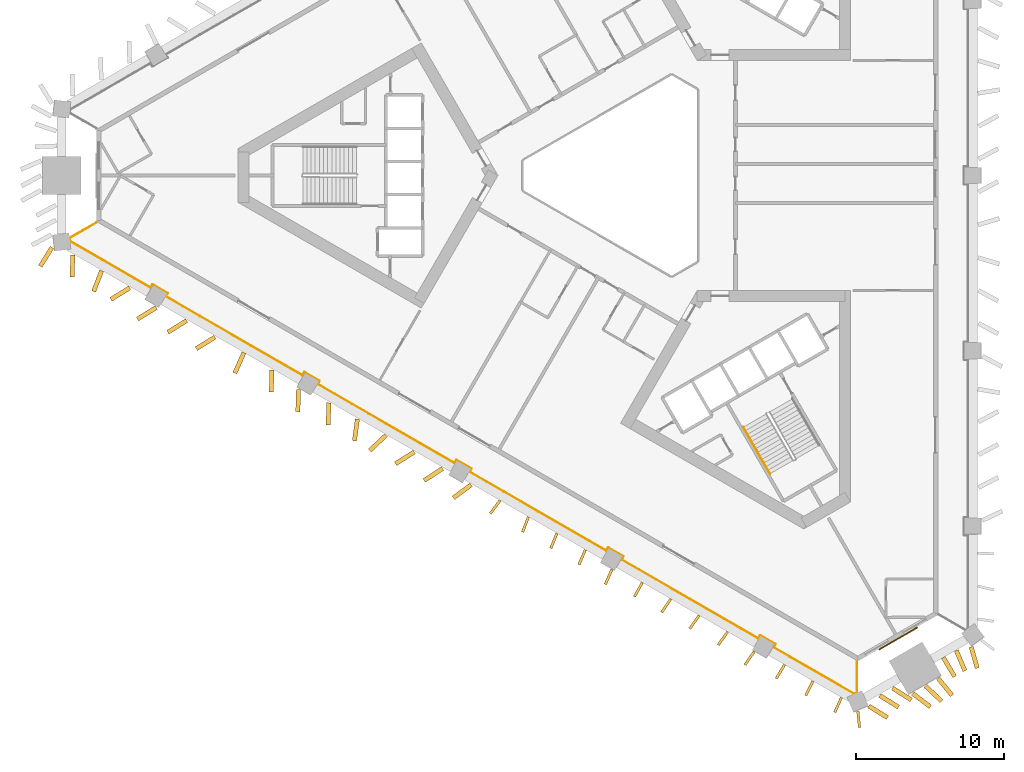
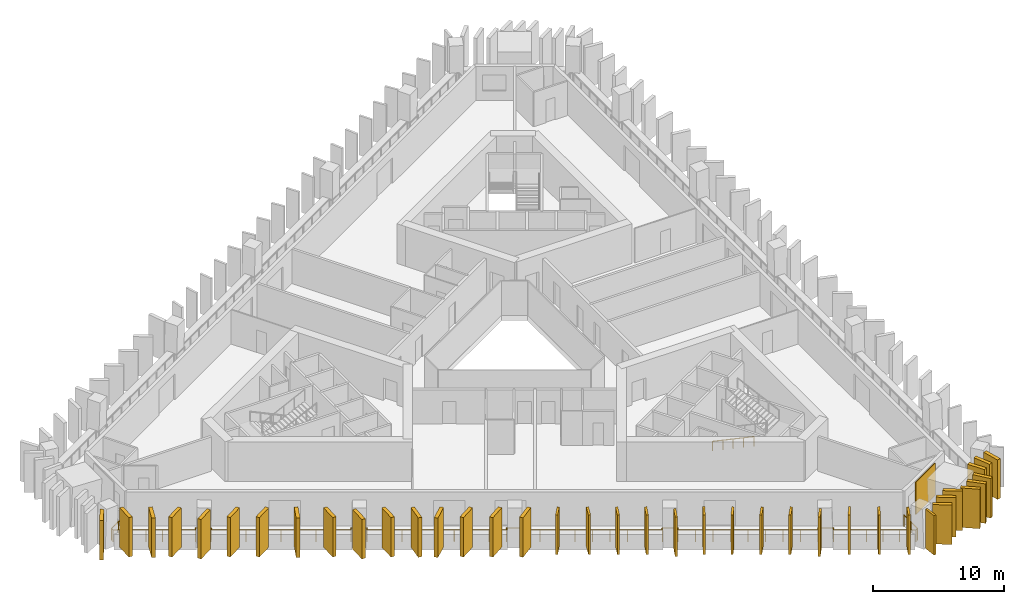
# One storey, part 7 of 10: 39 shading devices, 2 railings, 1 covering.
"""IFC4 building model written with IfcOpenShell, lengths in metres."""

from ifc_helpers import new_model, si_unit, direction, frame, frame_2d, origin, origin_2d, place, context, subcontext, project, spatial, rectangle, circle, extrude, material, layer, layer_set, type_object, element, save


model = new_model("IFC4")

# Units and contexts
model_context = context("Model", 3, precision=1e-05, world=origin(), true_north=direction((0.0, 1.0)))
body_context = subcontext(model_context, "Body", "Model", "MODEL_VIEW")
ifc_project = project(units=[si_unit("LENGTHUNIT", "METRE"), si_unit("AREAUNIT", "SQUARE_METRE"), si_unit("VOLUMEUNIT", "CUBIC_METRE"), si_unit("PLANEANGLEUNIT", "RADIAN"), si_unit("MASSUNIT", "GRAM", prefix="KILO")], contexts=[model_context])

# Site, building, storey
site_placement = place(None, origin())
site = spatial("IfcSite", under=ifc_project, at=site_placement, CompositionType="ELEMENT")
building_placement = place(site_placement, origin())
building = spatial("IfcBuilding", under=site, at=building_placement, Name="Jabali Bay Hotel Tower and Convention Centre", CompositionType="ELEMENT")
storey_placement = place(building_placement, frame((0.0, 0.0, 72.10009765625)))
storey = spatial("IfcBuildingStorey", under=building, at=storey_placement, Name="L16", CompositionType="ELEMENT", Elevation=72.10009765625)

# Railing
ifc_material_1 = material(Name="Glass", Category="glass")
railing_type_1 = type_object("IfcRailingType", Name="Loggia glass guard 1100", PredefinedType="BALUSTRADE", material=ifc_material_1)
railing_1_placement = place(storey_placement, frame((90.337646484375, 47.069091796875, 0.0)))
element("IfcRailing", 1, at=railing_1_placement, inside=storey, type_object=railing_type_1, Name="Loggia glass guard L16", PredefinedType="BALUSTRADE", context=body_context, shape_type="SweptSolid", body=[
    extrude(circle(Radius=0.02490234375, at=origin_2d()), frame((0.0, 0.0, 1.0751953125), z_axis=(0.0, -1.0, 0.0), x_axis=(0.991444861374, 0.0, 0.13052619222)), (0.0, 0.0, 1.0), 2.1103515625),
    extrude(circle(Radius=0.02490234375, at=origin_2d()), frame((0.0, -2.1103515625, 1.0751953125), z_axis=(-0.917845837018, -0.396937047236, 0.0), x_axis=(0.393541195771, -0.909993538645, 0.13052619222)), (0.0, 0.0, 1.0), 0.214599609375),
    extrude(circle(Radius=0.02490234375, at=origin_2d()), frame((-0.197021484375, -2.195556640625, 1.0751953125), z_axis=(-0.866021496703, 0.500006767202, 0.0), x_axis=(-0.495729139994, -0.858612562746, 0.13052619222)), (0.0, 0.0, 1.0), 6.29345703125),
    extrude(circle(Radius=0.02490234375, at=origin_2d()), frame((-5.647216796875, 0.951171875, 1.0751953125), z_axis=(0.499919672301, 0.866071776036, 0.0), x_axis=(-0.858662411932, 0.495642790202, 0.13052619222)), (0.0, 0.0, 1.0), 0.25),
    extrude(circle(Radius=0.02490234375, at=origin_2d()), frame((-5.522216796875, 1.167724609375, 1.0751953125), z_axis=(-0.866043267704, 0.499969057507, 0.0), x_axis=(-0.495691752911, -0.858634147493, 0.13052619222)), (0.0, 0.0, 1.0), 1.19970703125),
    extrude(circle(Radius=0.02490234375, at=origin_2d()), frame((-6.561279296875, 1.767578125, 1.0751953125), z_axis=(-0.499919672301, -0.866071776036, 0.0), x_axis=(0.858662411932, -0.495642790202, 0.13052619222)), (0.0, 0.0, 1.0), 0.25),
    extrude(circle(Radius=0.02490234375, at=origin_2d()), frame((-6.686279296875, 1.551025390625, 1.0751953125), z_axis=(-0.866019783401, 0.500009734663, 0.0), x_axis=(-0.495732082068, -0.858610864101, 0.13052619222)), (0.0, 0.0, 1.0), 10.691162109375),
    extrude(circle(Radius=0.02490234375, at=origin_2d()), frame((-15.945068359375, 6.896728515625, 1.0751953125), z_axis=(0.500342721131, 0.865827443207, 0.0), x_axis=(-0.858420169404, 0.496062219791, 0.13052619222)), (0.0, 0.0, 1.0), 0.249755859375),
    extrude(circle(Radius=0.02490234375, at=origin_2d()), frame((-15.820068359375, 7.113037109375, 1.0751953125), z_axis=(-0.866006032174, 0.500033551112, 0.0), x_axis=(-0.495755694765, -0.858597230518, 0.13052619222)), (0.0, 0.0, 1.0), 1.2001953125),
    extrude(circle(Radius=0.02490234375, at=origin_2d()), frame((-16.859375, 7.713134765625, 1.0751953125), z_axis=(-0.499919672301, -0.866071776036, 0.0), x_axis=(0.858662411932, -0.495642790202, 0.13052619222)), (0.0, 0.0, 1.0), 0.25),
    extrude(circle(Radius=0.02490234375, at=origin_2d()), frame((-16.984375, 7.49658203125, 1.0751953125), z_axis=(-0.866019783401, 0.500009734663, 0.0), x_axis=(-0.495732082068, -0.858610864101, 0.13052619222)), (0.0, 0.0, 1.0), 10.691162109375),
    extrude(circle(Radius=0.02490234375, at=origin_2d()), frame((-26.2431640625, 12.84228515625, 1.0751953125), z_axis=(0.500342721131, 0.865827443207, 0.0), x_axis=(-0.858420169404, 0.496062219791, 0.13052619222)), (0.0, 0.0, 1.0), 0.249755859375),
    extrude(circle(Radius=0.02490234375, at=origin_2d()), frame((-26.1181640625, 13.05859375, 1.0751953125), z_axis=(-0.865955154139, 0.50012165622, 0.0), x_axis=(-0.495843046121, -0.858546787751, 0.13052619222)), (0.0, 0.0, 1.0), 1.199951171875),
    extrude(circle(Radius=0.02490234375, at=origin_2d()), frame((-27.1572265625, 13.65869140625, 1.0751953125), z_axis=(-0.499919672301, -0.866071776036, 0.0), x_axis=(0.858662411932, -0.495642790202, 0.13052619222)), (0.0, 0.0, 1.0), 0.25),
    extrude(circle(Radius=0.02490234375, at=origin_2d()), frame((-27.2822265625, 13.442138671875, 1.0751953125), z_axis=(-0.866019783401, 0.500009734663, 0.0), x_axis=(-0.495732082068, -0.858610864101, 0.13052619222)), (0.0, 0.0, 1.0), 10.691162109375),
    extrude(circle(Radius=0.02490234375, at=origin_2d()), frame((-36.541015625, 18.787841796875, 1.0751953125), z_axis=(0.500342721131, 0.865827443207, 0.0), x_axis=(-0.858420169404, 0.496062219791, 0.13052619222)), (0.0, 0.0, 1.0), 0.249755859375),
    extrude(circle(Radius=0.02490234375, at=origin_2d()), frame((-36.416015625, 19.004150390625, 1.0751953125), z_axis=(-0.866006032174, 0.500033551112, 0.0), x_axis=(-0.495755694765, -0.858597230518, 0.13052619222)), (0.0, 0.0, 1.0), 1.2001953125),
    extrude(circle(Radius=0.02490234375, at=origin_2d()), frame((-37.455322265625, 19.604248046875, 1.0751953125), z_axis=(-0.499919672301, -0.866071776036, 0.0), x_axis=(0.858662411932, -0.495642790202, 0.13052619222)), (0.0, 0.0, 1.0), 0.25),
    extrude(circle(Radius=0.02490234375, at=origin_2d()), frame((-37.580322265625, 19.3876953125, 1.0751953125), z_axis=(-0.866029671606, 0.499992607843, 0.0), x_axis=(-0.49571510177, -0.858620667711, 0.13052619222)), (0.0, 0.0, 1.0), 10.691162109375),
    extrude(circle(Radius=0.02490234375, at=origin_2d()), frame((-46.839111328125, 24.733154296875, 1.0751953125), z_axis=(0.499919672301, 0.866071776036, 0.0), x_axis=(-0.858662411932, 0.495642790202, 0.13052619222)), (0.0, 0.0, 1.0), 0.25),
    extrude(circle(Radius=0.02490234375, at=origin_2d()), frame((-46.714111328125, 24.94970703125, 1.0751953125), z_axis=(-0.865955154139, 0.50012165622, 0.0), x_axis=(-0.495843046121, -0.858546787751, 0.13052619222)), (0.0, 0.0, 1.0), 1.199951171875),
    extrude(circle(Radius=0.02490234375, at=origin_2d()), frame((-47.753173828125, 25.5498046875, 1.0751953125), z_axis=(-0.499919672301, -0.866071776036, 0.0), x_axis=(0.858662411932, -0.495642790202, 0.13052619222)), (0.0, 0.0, 1.0), 0.25),
    extrude(circle(Radius=0.02490234375, at=origin_2d()), frame((-47.878173828125, 25.333251953125, 1.0751953125), z_axis=(-0.866021496703, 0.500006767202, 0.0), x_axis=(-0.495729139994, -0.858612562746, 0.13052619222)), (0.0, 0.0, 1.0), 6.29345703125),
    extrude(circle(Radius=0.02490234375, at=origin_2d()), frame((-53.328369140625, 28.47998046875, 1.0751953125), z_axis=(-0.116049066602, 0.993243481801, 0.0), x_axis=(-0.984746146125, -0.11505625075, 0.13052619222)), (0.0, 0.0, 1.0), 0.214599609375),
    extrude(circle(Radius=0.02490234375, at=origin_2d()), frame((-53.353271484375, 28.693115234375, 1.0751953125), z_axis=(0.86605653045, 0.499946083158, 0.0), x_axis=(-0.495668975111, 0.858647296774, 0.13052619222)), (0.0, 0.0, 1.0), 2.110595703125),
    extrude(circle(Radius=0.02001953125, at=origin_2d()), origin(), (0.0, 0.0, 1.0), 1.050048828125),
    extrude(circle(Radius=0.02001953125, at=origin_2d()), frame((0.0, -1.05517578125, 0.0)), (0.0, 0.0, 1.0), 1.050048828125),
    extrude(circle(Radius=0.02001953125, at=origin_2d()), frame((0.0, -2.1103515625, 0.0)), (0.0, 0.0, 1.0), 1.050048828125),
    extrude(circle(Radius=0.02001953125, at=origin_2d()), frame((-0.197021484375, -2.195556640625, 0.0)), (0.0, 0.0, 1.0), 1.050048828125),
    extrude(circle(Radius=0.02001953125, at=origin_2d()), frame((-1.287109375, -1.566162109375, 0.0)), (0.0, 0.0, 1.0), 1.050048828125),
    extrude(circle(Radius=0.02001953125, at=origin_2d()), frame((-2.377197265625, -0.936767578125, 0.0)), (0.0, 0.0, 1.0), 1.050048828125),
    extrude(circle(Radius=0.02001953125, at=origin_2d()), frame((-3.467041015625, -0.3076171875, 0.0)), (0.0, 0.0, 1.0), 1.050048828125),
    extrude(circle(Radius=0.02001953125, at=origin_2d()), frame((-4.55712890625, 0.32177734375, 0.0)), (0.0, 0.0, 1.0), 1.050048828125),
    extrude(circle(Radius=0.02001953125, at=origin_2d()), frame((-5.647216796875, 0.951171875, 0.0)), (0.0, 0.0, 1.0), 1.050048828125),
    extrude(circle(Radius=0.02001953125, at=origin_2d()), frame((-5.522216796875, 1.167724609375, 0.0)), (0.0, 0.0, 1.0), 1.050048828125),
    extrude(circle(Radius=0.02001953125, at=origin_2d()), frame((-6.561279296875, 1.767578125, 0.0)), (0.0, 0.0, 1.0), 1.050048828125),
    extrude(circle(Radius=0.02001953125, at=origin_2d()), frame((-6.686279296875, 1.551025390625, 0.0)), (0.0, 0.0, 1.0), 1.050048828125),
    extrude(circle(Radius=0.02001953125, at=origin_2d()), frame((-7.84375, 2.21923828125, 0.0)), (0.0, 0.0, 1.0), 1.050048828125),
    extrude(circle(Radius=0.02001953125, at=origin_2d()), frame((-9.0009765625, 2.887451171875, 0.0)), (0.0, 0.0, 1.0), 1.050048828125),
    extrude(circle(Radius=0.02001953125, at=origin_2d()), frame((-10.158203125, 3.5556640625, 0.0)), (0.0, 0.0, 1.0), 1.050048828125),
    extrude(circle(Radius=0.02001953125, at=origin_2d()), frame((-11.315673828125, 4.223876953125, 0.0)), (0.0, 0.0, 1.0), 1.050048828125),
    extrude(circle(Radius=0.02001953125, at=origin_2d()), frame((-12.47314453125, 4.89208984375, 0.0)), (0.0, 0.0, 1.0), 1.050048828125),
    extrude(circle(Radius=0.02001953125, at=origin_2d()), frame((-13.63037109375, 5.560302734375, 0.0)), (0.0, 0.0, 1.0), 1.050048828125),
    extrude(circle(Radius=0.02001953125, at=origin_2d()), frame((-14.78759765625, 6.228515625, 0.0)), (0.0, 0.0, 1.0), 1.050048828125),
    extrude(circle(Radius=0.02001953125, at=origin_2d()), frame((-15.945068359375, 6.896728515625, 0.0)), (0.0, 0.0, 1.0), 1.050048828125),
    extrude(circle(Radius=0.02001953125, at=origin_2d()), frame((-15.820068359375, 7.113037109375, 0.0)), (0.0, 0.0, 1.0), 1.050048828125),
    extrude(circle(Radius=0.02001953125, at=origin_2d()), frame((-16.859375, 7.713134765625, 0.0)), (0.0, 0.0, 1.0), 1.050048828125),
    extrude(circle(Radius=0.02001953125, at=origin_2d()), frame((-16.984375, 7.49658203125, 0.0)), (0.0, 0.0, 1.0), 1.050048828125),
    extrude(circle(Radius=0.02001953125, at=origin_2d()), frame((-18.1416015625, 8.164794921875, 0.0)), (0.0, 0.0, 1.0), 1.050048828125),
    extrude(circle(Radius=0.02001953125, at=origin_2d()), frame((-19.299072265625, 8.8330078125, 0.0)), (0.0, 0.0, 1.0), 1.050048828125),
    extrude(circle(Radius=0.02001953125, at=origin_2d()), frame((-20.45654296875, 9.501220703125, 0.0)), (0.0, 0.0, 1.0), 1.050048828125),
    extrude(circle(Radius=0.02001953125, at=origin_2d()), frame((-21.61376953125, 10.16943359375, 0.0)), (0.0, 0.0, 1.0), 1.050048828125),
    extrude(circle(Radius=0.02001953125, at=origin_2d()), frame((-22.77099609375, 10.837646484375, 0.0)), (0.0, 0.0, 1.0), 1.050048828125),
    extrude(circle(Radius=0.02001953125, at=origin_2d()), frame((-23.928466796875, 11.505859375, 0.0)), (0.0, 0.0, 1.0), 1.050048828125),
    extrude(circle(Radius=0.02001953125, at=origin_2d()), frame((-25.0859375, 12.174072265625, 0.0)), (0.0, 0.0, 1.0), 1.050048828125),
    extrude(circle(Radius=0.02001953125, at=origin_2d()), frame((-26.2431640625, 12.84228515625, 0.0)), (0.0, 0.0, 1.0), 1.050048828125),
    extrude(circle(Radius=0.02001953125, at=origin_2d()), frame((-26.1181640625, 13.05859375, 0.0)), (0.0, 0.0, 1.0), 1.050048828125),
    extrude(circle(Radius=0.02001953125, at=origin_2d()), frame((-27.1572265625, 13.65869140625, 0.0)), (0.0, 0.0, 1.0), 1.050048828125),
    extrude(circle(Radius=0.02001953125, at=origin_2d()), frame((-27.2822265625, 13.442138671875, 0.0)), (0.0, 0.0, 1.0), 1.050048828125),
    extrude(circle(Radius=0.02001953125, at=origin_2d()), frame((-28.439453125, 14.1103515625, 0.0)), (0.0, 0.0, 1.0), 1.050048828125),
    extrude(circle(Radius=0.02001953125, at=origin_2d()), frame((-29.596923828125, 14.778564453125, 0.0)), (0.0, 0.0, 1.0), 1.050048828125),
    extrude(circle(Radius=0.02001953125, at=origin_2d()), frame((-30.75439453125, 15.44677734375, 0.0)), (0.0, 0.0, 1.0), 1.050048828125),
    extrude(circle(Radius=0.02001953125, at=origin_2d()), frame((-31.91162109375, 16.114990234375, 0.0)), (0.0, 0.0, 1.0), 1.050048828125),
    extrude(circle(Radius=0.02001953125, at=origin_2d()), frame((-33.06884765625, 16.783203125, 0.0)), (0.0, 0.0, 1.0), 1.050048828125),
    extrude(circle(Radius=0.02001953125, at=origin_2d()), frame((-34.226318359375, 17.451416015625, 0.0)), (0.0, 0.0, 1.0), 1.050048828125),
    extrude(circle(Radius=0.02001953125, at=origin_2d()), frame((-35.3837890625, 18.11962890625, 0.0)), (0.0, 0.0, 1.0), 1.050048828125),
    extrude(circle(Radius=0.02001953125, at=origin_2d()), frame((-36.541015625, 18.787841796875, 0.0)), (0.0, 0.0, 1.0), 1.050048828125),
    extrude(circle(Radius=0.02001953125, at=origin_2d()), frame((-36.416015625, 19.004150390625, 0.0)), (0.0, 0.0, 1.0), 1.050048828125),
    extrude(circle(Radius=0.02001953125, at=origin_2d()), frame((-37.455322265625, 19.604248046875, 0.0)), (0.0, 0.0, 1.0), 1.050048828125),
    extrude(circle(Radius=0.02001953125, at=origin_2d()), frame((-37.580322265625, 19.3876953125, 0.0)), (0.0, 0.0, 1.0), 1.050048828125),
    extrude(circle(Radius=0.02001953125, at=origin_2d()), frame((-38.73779296875, 20.055908203125, 0.0)), (0.0, 0.0, 1.0), 1.050048828125),
    extrude(circle(Radius=0.02001953125, at=origin_2d()), frame((-39.89501953125, 20.72412109375, 0.0)), (0.0, 0.0, 1.0), 1.050048828125),
    extrude(circle(Radius=0.02001953125, at=origin_2d()), frame((-41.05224609375, 21.392333984375, 0.0)), (0.0, 0.0, 1.0), 1.050048828125),
    extrude(circle(Radius=0.02001953125, at=origin_2d()), frame((-42.209716796875, 22.060546875, 0.0)), (0.0, 0.0, 1.0), 1.050048828125),
    extrude(circle(Radius=0.02001953125, at=origin_2d()), frame((-43.3671875, 22.728515625, 0.0)), (0.0, 0.0, 1.0), 1.050048828125),
    extrude(circle(Radius=0.02001953125, at=origin_2d()), frame((-44.5244140625, 23.396728515625, 0.0)), (0.0, 0.0, 1.0), 1.050048828125),
    extrude(circle(Radius=0.02001953125, at=origin_2d()), frame((-45.681640625, 24.06494140625, 0.0)), (0.0, 0.0, 1.0), 1.050048828125),
    extrude(circle(Radius=0.02001953125, at=origin_2d()), frame((-46.839111328125, 24.733154296875, 0.0)), (0.0, 0.0, 1.0), 1.050048828125),
    extrude(circle(Radius=0.02001953125, at=origin_2d()), frame((-46.714111328125, 24.94970703125, 0.0)), (0.0, 0.0, 1.0), 1.050048828125),
    extrude(circle(Radius=0.02001953125, at=origin_2d()), frame((-47.753173828125, 25.5498046875, 0.0)), (0.0, 0.0, 1.0), 1.050048828125),
    extrude(circle(Radius=0.02001953125, at=origin_2d()), frame((-47.878173828125, 25.333251953125, 0.0)), (0.0, 0.0, 1.0), 1.050048828125),
    extrude(circle(Radius=0.02001953125, at=origin_2d()), frame((-48.96826171875, 25.962646484375, 0.0)), (0.0, 0.0, 1.0), 1.050048828125),
    extrude(circle(Radius=0.02001953125, at=origin_2d()), frame((-50.058349609375, 26.592041015625, 0.0)), (0.0, 0.0, 1.0), 1.050048828125),
    extrude(circle(Radius=0.02001953125, at=origin_2d()), frame((-51.148193359375, 27.22119140625, 0.0)), (0.0, 0.0, 1.0), 1.050048828125),
    extrude(circle(Radius=0.02001953125, at=origin_2d()), frame((-52.23828125, 27.8505859375, 0.0)), (0.0, 0.0, 1.0), 1.050048828125),
    extrude(circle(Radius=0.02001953125, at=origin_2d()), frame((-53.328369140625, 28.47998046875, 0.0)), (0.0, 0.0, 1.0), 1.050048828125),
    extrude(circle(Radius=0.02001953125, at=origin_2d()), frame((-53.353271484375, 28.693115234375, 0.0)), (0.0, 0.0, 1.0), 1.050048828125),
    extrude(circle(Radius=0.02001953125, at=origin_2d()), frame((-52.439453125, 29.220703125, 0.0)), (0.0, 0.0, 1.0), 1.050048828125),
    extrude(circle(Radius=0.02001953125, at=origin_2d()), frame((-51.525390625, 29.748291015625, 0.0)), (0.0, 0.0, 1.0), 1.050048828125),
])

# Shading devices
ifc_material_2 = material(Name="Precast concrete C60", Category="concrete")
ifc_layer_1 = layer(ifc_material_2, 0.179931640625)
ifc_layer_set_1 = layer_set([ifc_layer_1], Name="Precast concrete C60")
shading_device_type_1 = type_object("IfcShadingDeviceType", Name="Precast fin 3680 x 1100", PredefinedType="USERDEFINED", material=ifc_layer_set_1)
shading_device_1_placement = place(storey_placement, frame((66.14013671875, 57.9765625, 0.010009765625), z_axis=(0.0, 0.0, 1.0), x_axis=(-0.59697755348, -0.80225793897, 0.0)))
element("IfcShadingDevice", 2, at=shading_device_1_placement, inside=storey, type_object=shading_device_type_1, Name="Fin L16 089", ObjectType="FIN", PredefinedType="USERDEFINED", context=body_context, shape_type="SweptSolid", body=[
    extrude(rectangle(XDim=1.10009765625, YDim=0.179931640625, at=frame_2d((0.550048828125, 0.0))), origin(), (0.0, 0.0, 1.0), 3.679931640625),
])
for number, where, z_axis, x_axis, name in (
    (3, (68.06640625, 56.86083984375, 0.010009765625), (0.0, 0.0, 1.0), (-0.365336465294, -0.930875537935, 0.0), "Fin L16 090"),
    (4, (69.99462890625, 55.7490234375, 0.010009765625), (0.0, 0.0, 1.0), (-0.377543634465, -0.92599179482, 0.0), "Fin L16 091"),
):
    element("IfcShadingDevice", number, at=place(storey_placement, frame(where, z_axis=z_axis, x_axis=x_axis)), inside=storey, type_object=shading_device_type_1, Name=name, ObjectType="FIN", PredefinedType="USERDEFINED", context=body_context, shape_type="SweptSolid", body=[
        extrude(rectangle(XDim=1.099853515625, YDim=0.179931640625, at=frame_2d((0.5498046875, 0.0))), origin(), (0.0, 0.0, 1.0), 3.679931640625),
    ])
shading_device_2_placement = place(storey_placement, frame((71.92333984375, 54.637939453125, 0.010009765625), z_axis=(0.0, 0.0, 1.0), x_axis=(-0.399001986877, -0.916950061055, 0.0)))
element("IfcShadingDevice", 5, at=shading_device_2_placement, inside=storey, type_object=shading_device_type_1, Name="Fin L16 092", ObjectType="FIN", PredefinedType="USERDEFINED", context=body_context, shape_type="SweptSolid", body=[
    extrude(rectangle(XDim=1.10009765625, YDim=0.179931640625, at=frame_2d((0.550048828125, 0.0))), origin(), (0.0, 0.0, 1.0), 3.679931640625),
])
shading_device_3_placement = place(storey_placement, frame((73.72265625, 53.302490234375, 0.010009765625), z_axis=(0.0, 0.0, 1.0), x_axis=(-0.40690040059, -0.913472530512, 0.0)))
element("IfcShadingDevice", 6, at=shading_device_3_placement, inside=storey, type_object=shading_device_type_1, Name="Fin L16 093", ObjectType="FIN", PredefinedType="USERDEFINED", context=body_context, shape_type="SweptSolid", body=[
    extrude(rectangle(XDim=1.099853515625, YDim=0.179931640625, at=frame_2d((0.5498046875, 0.0))), origin(), (0.0, 0.0, 1.0), 3.679931640625),
])
for number, where, z_axis, x_axis, name in (
    (7, (75.782958984375, 52.41943359375, 0.010009765625), (0.0, 0.0, 1.0), (-0.485586400409, -0.874188679713, 0.0), "Fin L16 094"),
    (8, (77.708251953125, 51.302001953125, 0.010009765625), (0.0, 0.0, 1.0), (-0.561951805271, -0.827169975611, 0.0), "Fin L16 095"),
    (9, (79.634765625, 50.18701171875, 0.010009765625), (0.0, 0.0, 1.0), (-0.583503414165, -0.812110685595, 0.0), "Fin L16 096"),
    (10, (81.5625, 49.07421875, 0.010009765625), (0.0, 0.0, 1.0), (-0.58339825349, -0.812186233462, 0.0), "Fin L16 097"),
):
    element("IfcShadingDevice", number, at=place(storey_placement, frame(where, z_axis=z_axis, x_axis=x_axis)), inside=storey, type_object=shading_device_type_1, Name=name, ObjectType="FIN", PredefinedType="USERDEFINED", context=body_context, shape_type="SweptSolid", body=[
        extrude(rectangle(XDim=1.10009765625, YDim=0.179931640625, at=frame_2d((0.550048828125, 0.0))), origin(), (0.0, 0.0, 1.0), 3.679931640625),
    ])
shading_device_4_placement = place(storey_placement, frame((83.362060546875, 47.7392578125, 0.010009765625), z_axis=(0.0, 0.0, 1.0), x_axis=(-0.57153912609, -0.820574815205, 0.0)))
element("IfcShadingDevice", 11, at=shading_device_4_placement, inside=storey, type_object=shading_device_type_1, Name="Fin L16 098", ObjectType="FIN", PredefinedType="USERDEFINED", context=body_context, shape_type="SweptSolid", body=[
    extrude(rectangle(XDim=1.099853515625, YDim=0.179931640625, at=frame_2d((0.5498046875, 0.0))), origin(), (0.0, 0.0, 1.0), 3.679931640625),
])
for number, where, z_axis, x_axis, name in (
    (12, (85.421630859375, 46.854736328125, 0.010009765625), (0.0, 0.0, 1.0), (-0.512895611202, -0.858450984046, 0.0), "Fin L16 099"),
    (13, (87.34765625, 45.73876953125, 0.010009765625), (0.0, 0.0, 1.0), (-0.452532184359, -0.891748070993, 0.0), "Fin L16 100"),
    (14, (89.273193359375, 44.622314453125, 0.010009765625), (0.0, 0.0, 1.0), (-0.411259632718, -0.911518246936, 0.0), "Fin L16 101"),
    (15, (90.3876953125, 43.698486328125, 0.010009765625), (0.0, 0.0, 1.0), (0.099877290432, -0.994999762239, 0.0), "Fin L16 116"),
):
    element("IfcShadingDevice", number, at=place(storey_placement, frame(where, z_axis=z_axis, x_axis=x_axis)), inside=storey, type_object=shading_device_type_1, Name=name, ObjectType="FIN", PredefinedType="USERDEFINED", context=body_context, shape_type="SweptSolid", body=[
        extrude(rectangle(XDim=1.10009765625, YDim=0.179931640625, at=frame_2d((0.550048828125, 0.0))), origin(), (0.0, 0.0, 1.0), 3.679931640625),
    ])
ifc_layer_2 = layer(ifc_material_2, 0.300048828125)
ifc_layer_set_2 = layer_set([ifc_layer_2], Name="Precast concrete C60")
shading_device_type_2 = type_object("IfcShadingDeviceType", Name="Precast fin 3680 x 1500", PredefinedType="USERDEFINED", material=ifc_layer_set_2)
for number, where, z_axis, x_axis, name in (
    (16, (37.1943359375, 74.618408203125, 0.010009765625), (0.0, 0.0, 1.0), (-0.030924788426, -0.999521714352, 0.0), "Fin L16 074"),
    (17, (39.145751953125, 73.54638671875, 0.010009765625), (0.0, 0.0, 1.0), (-0.357768071853, -0.933810476897, 0.0), "Fin L16 075"),
):
    element("IfcShadingDevice", number, at=place(storey_placement, frame(where, z_axis=z_axis, x_axis=x_axis)), inside=storey, type_object=shading_device_type_2, Name=name, ObjectType="FIN", PredefinedType="USERDEFINED", context=body_context, shape_type="SweptSolid", body=[
        extrude(rectangle(XDim=1.5, YDim=0.300048828125, at=frame_2d((0.75, 0.0))), origin(), (0.0, 0.0, 1.0), 3.679931640625),
    ])
shading_device_5_placement = place(storey_placement, frame((41.0498046875, 72.392578125, 0.010009765625), z_axis=(0.0, 0.0, 1.0), x_axis=(-0.850185364679, -0.526483471427, 0.0)))
element("IfcShadingDevice", 18, at=shading_device_5_placement, inside=storey, type_object=shading_device_type_2, Name="Fin L16 076", ObjectType="FIN", PredefinedType="USERDEFINED", context=body_context, shape_type="SweptSolid", body=[
    extrude(rectangle(XDim=1.500244140625, YDim=0.300048828125, at=frame_2d((0.75, 0.0))), origin(), (0.0, 0.0, 1.0), 3.679931640625),
])
shading_device_6_placement = place(storey_placement, frame((42.8486328125, 71.056640625, 0.010009765625), z_axis=(0.0, 0.0, 1.0), x_axis=(-0.850140244576, -0.526556326097, 0.0)))
element("IfcShadingDevice", 19, at=shading_device_6_placement, inside=storey, type_object=shading_device_type_2, Name="Fin L16 077", ObjectType="FIN", PredefinedType="USERDEFINED", context=body_context, shape_type="SweptSolid", body=[
    extrude(rectangle(XDim=1.5, YDim=0.300048828125, at=frame_2d((0.75, 0.0))), origin(), (0.0, 0.0, 1.0), 3.679931640625),
])
shading_device_7_placement = place(storey_placement, frame((44.9052734375, 70.16650390625, 0.010009765625), z_axis=(0.0, 0.0, 1.0), x_axis=(-0.850185364679, -0.526483471427, 0.0)))
element("IfcShadingDevice", 20, at=shading_device_7_placement, inside=storey, type_object=shading_device_type_2, Name="Fin L16 078", ObjectType="FIN", PredefinedType="USERDEFINED", context=body_context, shape_type="SweptSolid", body=[
    extrude(rectangle(XDim=1.500244140625, YDim=0.300048828125, at=frame_2d((0.75, 0.0))), origin(), (0.0, 0.0, 1.0), 3.679931640625),
])
for number, where, z_axis, x_axis, name in (
    (21, (46.832763671875, 69.0537109375, 0.010009765625), (0.0, 0.0, 1.0), (-0.850140244576, -0.526556326097, 0.0), "Fin L16 079"),
    (22, (48.788330078125, 67.98876953125, 0.010009765625), (0.0, 0.0, 1.0), (-0.409186755076, -0.91245065591, 0.0), "Fin L16 080"),
    (23, (50.688232421875, 66.82763671875, 0.010009765625), (0.0, 0.0, 1.0), (-0.030924788426, -0.999521714352, 0.0), "Fin L16 081"),
):
    element("IfcShadingDevice", number, at=place(storey_placement, frame(where, z_axis=z_axis, x_axis=x_axis)), inside=storey, type_object=shading_device_type_2, Name=name, ObjectType="FIN", PredefinedType="USERDEFINED", context=body_context, shape_type="SweptSolid", body=[
        extrude(rectangle(XDim=1.5, YDim=0.300048828125, at=frame_2d((0.75, 0.0))), origin(), (0.0, 0.0, 1.0), 3.679931640625),
    ])
shading_device_8_placement = place(storey_placement, frame((52.4873046875, 65.491943359375, 0.010009765625), z_axis=(0.0, 0.0, 1.0), x_axis=(-0.03091975827, -0.99952186997, 0.0)))
element("IfcShadingDevice", 24, at=shading_device_8_placement, inside=storey, type_object=shading_device_type_2, Name="Fin L16 082", ObjectType="FIN", PredefinedType="USERDEFINED", context=body_context, shape_type="SweptSolid", body=[
    extrude(rectangle(XDim=1.500244140625, YDim=0.300048828125, at=frame_2d((0.75, 0.0))), origin(), (0.0, 0.0, 1.0), 3.679931640625),
])
for number, where, z_axis, x_axis, name in (
    (25, (54.543701171875, 64.601806640625, 0.010009765625), (0.0, 0.0, 1.0), (-0.031087393585, -0.999516670176, 0.0), "Fin L16 083"),
    (26, (56.478271484375, 63.5009765625, 0.010009765625), (0.0, 0.0, 1.0), (-0.134125271503, -0.990964384599, 0.0), "Fin L16 084"),
    (27, (58.4130859375, 62.400146484375, 0.010009765625), (0.0, 0.0, 1.0), (-0.726922866992, -0.686719116847, 0.0), "Fin L16 085"),
    (28, (60.3271484375, 61.263916015625, 0.010009765625), (0.0, 0.0, 1.0), (-0.84607243128, -0.533067951605, 0.0), "Fin L16 086"),
    (29, (62.25634765625, 60.153076171875, 0.010009765625), (0.0, 0.0, 1.0), (-0.835737490734, -0.549129171127, 0.0), "Fin L16 087"),
    (30, (64.187744140625, 59.046630859375, 0.010009765625), (0.0, 0.0, 1.0), (-0.803695565789, -0.595040702415, 0.0), "Fin L16 088"),
):
    element("IfcShadingDevice", number, at=place(storey_placement, frame(where, z_axis=z_axis, x_axis=x_axis)), inside=storey, type_object=shading_device_type_2, Name=name, ObjectType="FIN", PredefinedType="USERDEFINED", context=body_context, shape_type="SweptSolid", body=[
        extrude(rectangle(XDim=1.5, YDim=0.300048828125, at=frame_2d((0.75, 0.0))), origin(), (0.0, 0.0, 1.0), 3.679931640625),
    ])
shading_device_9_placement = place(storey_placement, frame((91.12158203125, 44.05810546875, 0.010009765625), z_axis=(0.0, 0.0, 1.0), x_axis=(0.850185364679, -0.526483471427, 0.0)))
element("IfcShadingDevice", 31, at=shading_device_9_placement, inside=storey, type_object=shading_device_type_2, Name="Fin L16 102", ObjectType="FIN", PredefinedType="USERDEFINED", context=body_context, shape_type="SweptSolid", body=[
    extrude(rectangle(XDim=1.500244140625, YDim=0.300048828125, at=frame_2d((0.75, 0.0))), origin(), (0.0, 0.0, 1.0), 3.679931640625),
])
for number, where, z_axis, x_axis, name in (
    (32, (91.86865234375, 44.768798828125, 0.010009765625), (0.0, 0.0, 1.0), (0.850140244576, -0.526556326097, 0.0), "Fin L16 103"),
    (33, (92.73583984375, 45.271240234375, 0.010009765625), (0.0, 0.0, 1.0), (0.843922764928, -0.536464693, 0.0), "Fin L16 104"),
    (34, (94.1044921875, 44.905517578125, 0.010009765625), (0.0, 0.0, 1.0), (0.795741727054, -0.605636115027, 0.0), "Fin L16 105"),
):
    element("IfcShadingDevice", number, at=place(storey_placement, frame(where, z_axis=z_axis, x_axis=x_axis)), inside=storey, type_object=shading_device_type_2, Name=name, ObjectType="FIN", PredefinedType="USERDEFINED", context=body_context, shape_type="SweptSolid", body=[
        extrude(rectangle(XDim=1.5, YDim=0.300048828125, at=frame_2d((0.75, 0.0))), origin(), (0.0, 0.0, 1.0), 3.679931640625),
    ])
shading_device_10_placement = place(storey_placement, frame((94.964599609375, 45.420166015625, 0.010009765625), z_axis=(0.0, 0.0, 1.0), x_axis=(0.724544185966, -0.689228353002, 0.0)))
element("IfcShadingDevice", 35, at=shading_device_10_placement, inside=storey, type_object=shading_device_type_2, Name="Fin L16 106", ObjectType="FIN", PredefinedType="USERDEFINED", context=body_context, shape_type="SweptSolid", body=[
    extrude(rectangle(XDim=1.500244140625, YDim=0.300048828125, at=frame_2d((0.75, 0.0))), origin(), (0.0, 0.0, 1.0), 3.679931640625),
])
for number, where, z_axis, x_axis, name in (
    (36, (95.823486328125, 45.9375, 0.010009765625), (0.0, 0.0, 1.0), (0.630512967549, -0.776178715086, 0.0), "Fin L16 107"),
    (37, (96.1748046875, 47.333251953125, 0.010009765625), (0.0, 0.0, 1.0), (0.517699236622, -0.85556268058, 0.0), "Fin L16 108"),
    (38, (97.05029296875, 47.82177734375, 0.010009765625), (0.0, 0.0, 1.0), (0.393703217021, -0.919237606339, 0.0), "Fin L16 109"),
    (39, (98.068603515625, 48.062744140625, 0.010009765625), (0.0, 0.0, 1.0), (0.269213328119, -0.963080569819, 0.0), "Fin L16 110"),
    (40, (35.782958984375, 75.126220703125, 0.010009765625), (0.0, 0.0, 1.0), (-0.526556326097, -0.850140244576, 0.0), "Fin L16 115"),
):
    element("IfcShadingDevice", number, at=place(storey_placement, frame(where, z_axis=z_axis, x_axis=x_axis)), inside=storey, type_object=shading_device_type_2, Name=name, ObjectType="FIN", PredefinedType="USERDEFINED", context=body_context, shape_type="SweptSolid", body=[
        extrude(rectangle(XDim=1.5, YDim=0.300048828125, at=frame_2d((0.75, 0.0))), origin(), (0.0, 0.0, 1.0), 3.679931640625),
    ])

# Covering
ifc_material_3 = material(Name="Precast concrete C40/50", Category="concrete")
ifc_layer_3 = layer(ifc_material_3, 0.080078125)
ifc_layer_set_3 = layer_set([ifc_layer_3], Name="Precast concrete C40/50")
covering_type = type_object("IfcCoveringType", Name="Relief panel 3000 x 3000", PredefinedType="CLADDING", material=ifc_layer_set_3)
covering_placement = place(storey_placement, frame((93.114013671875, 48.625732421875, 0.099853515625), z_axis=(0.0, 0.0, 1.0), x_axis=(-0.866025332776, -0.500000122991, 0.0)))
element("IfcCovering", 41, at=covering_placement, inside=storey, type_object=covering_type, Name="Relief panel L16", PredefinedType="CLADDING", context=body_context, shape_type="SweptSolid", body=[
    extrude(rectangle(XDim=3.0, YDim=0.080078125, at=origin_2d()), origin(), (0.0, 0.0, 1.0), 3.0),
])

# Railing
ifc_material_4 = material(Name="Steel Q355B", Category="steel")
railing_type_2 = type_object("IfcRailingType", Name="Stair handrail 900", PredefinedType="HANDRAIL", material=ifc_material_4)
railing_2_placement = place(storey_placement, frame((82.622802734375, 62.94677734375, 0.132080078125)))
element("IfcRailing", 42, at=railing_2_placement, inside=storey, type_object=railing_type_2, Name="L16 ST3 stair handrail 1", PredefinedType="HANDRAIL", context=body_context, shape_type="SweptSolid", body=[
    extrude(circle(Radius=0.02392578125, at=origin_2d()), frame((0.0, 0.0, 0.8759765625), z_axis=(0.452190331055, -0.783190014029, 0.426775475427), x_axis=(0.866018046521, 0.500012742938, 0.0)), (0.0, 0.0, 1.0), 4.02490234375),
    extrude(circle(Radius=0.02099609375, at=origin_2d()), origin(), (0.0, 0.0, 1.0), 0.851806640625),
    extrude(circle(Radius=0.02099609375, at=origin_2d()), frame((0.455078125, -0.7880859375, 0.429443359375)), (0.0, 0.0, 1.0), 0.851806640625),
    extrude(circle(Radius=0.02099609375, at=origin_2d()), frame((0.91015625, -1.576171875, 0.85888671875)), (0.0, 0.0, 1.0), 0.851806640625),
    extrude(circle(Radius=0.02099609375, at=origin_2d()), frame((1.364990234375, -2.3642578125, 1.288330078125)), (0.0, 0.0, 1.0), 0.851806640625),
    extrude(circle(Radius=0.02099609375, at=origin_2d()), frame((1.820068359375, -3.15234375, 1.7177734375)), (0.0, 0.0, 1.0), 0.851806640625),
])

save(model, "model.ifc")
